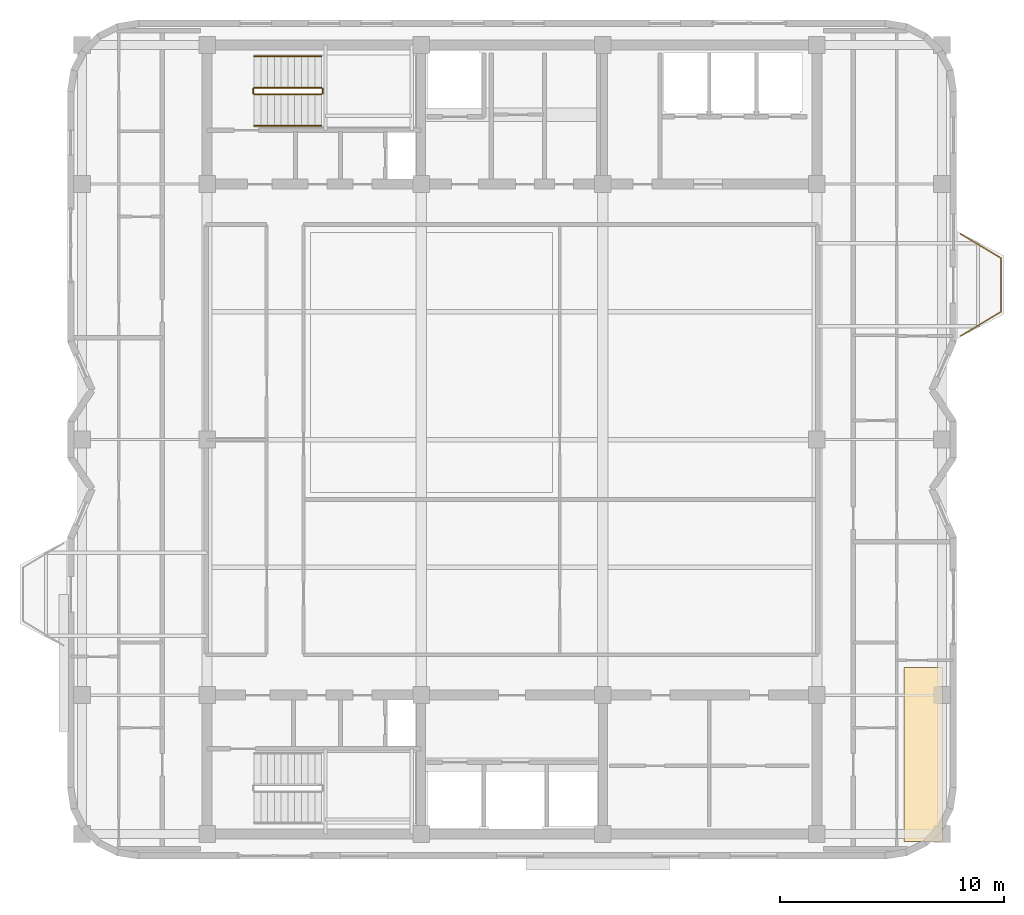
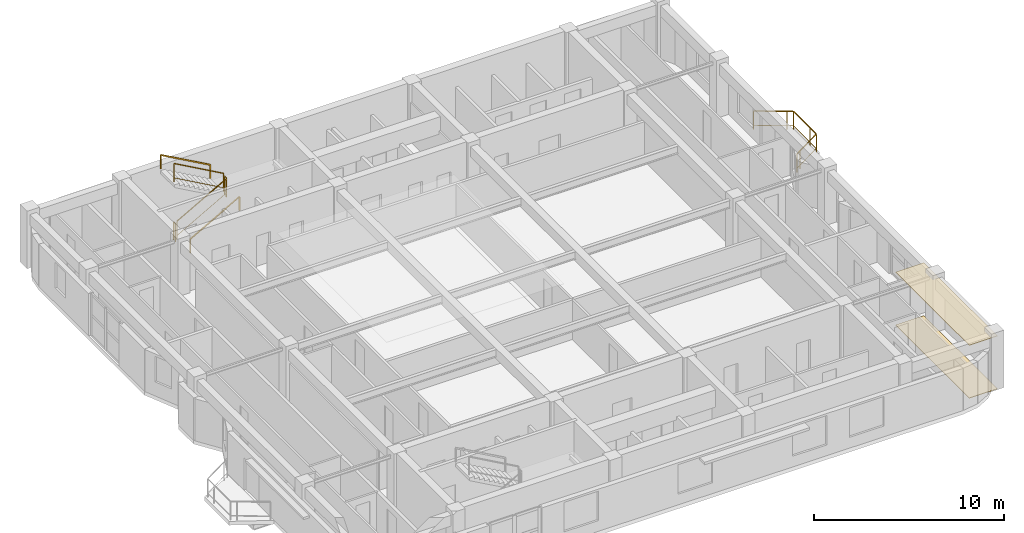
# One storey, part 11 of 11: 7 railings, 2 coverings.
"""IFC4 building model written with IfcOpenShell, lengths in metres."""

import ifcopenshell
import ifcopenshell.guid

model = None  # the IFC model being written
_history = None  # IfcOwnerHistory: only IFC2X3 demands one
_inside = {}  # id of a spatial element -> (the spatial element, [elements in it])
_under = {}  # id of a project, library or spatial element -> (it, [spatial elements below it])
_declared = {}  # id of a project -> (the project, [libraries it declares])
_typed = {}  # id of a type object -> (the type object, [elements of that type])
_made_of = {}  # id of a material, layer set ... -> (it, [elements and type objects made of it])


def new_model(schema):
    """Start an empty IFC model of exactly this schema.

    Asked for "IFC4X3", IfcOpenShell would pick the latest addendum, in which some entities
    have other attributes; the version numbers below select the first issue.
    IFC2X3 requires an IfcOwnerHistory on every rooted entity: one is made here for all.
    """
    global model, _history
    if schema == "IFC4X3":
        model = ifcopenshell.file(schema_version=(4, 3, 0, 0))
    else:
        model = ifcopenshell.file(schema=schema)
    _inside.clear()
    _under.clear()
    _declared.clear()
    _typed.clear()
    _made_of.clear()
    _history = None
    if model.schema == "IFC2X3":
        org = make("IfcOrganization", Name="unknown")
        user = make(
            "IfcPersonAndOrganization",
            ThePerson=make("IfcPerson", FamilyName="unknown"),
            TheOrganization=org,
        )
        app = make(
            "IfcApplication",
            ApplicationDeveloper=org,
            Version="unknown",
            ApplicationFullName="unknown",
            ApplicationIdentifier="unknown",
        )
        _history = make(
            "IfcOwnerHistory",
            OwningUser=user,
            OwningApplication=app,
            ChangeAction="ADDED",
            CreationDate=0,
        )
    return model


def make(cls, **values):
    """One entity of the class cls with the attributes given. An attribute that is None is left unset."""
    return model.create_entity(
        cls, **{name: value for name, value in values.items() if value is not None}
    )


def rooted(cls, **values):
    """An entity with a GlobalId (a new one), such as an element, a storey or a relation."""
    return make(cls, GlobalId=ifcopenshell.guid.new(), OwnerHistory=_history, **values)


def si_unit(unit_type, name, prefix=None):
    """IfcSIUnit, for example si_unit("LENGTHUNIT", "METRE", prefix="MILLI")."""
    return make("IfcSIUnit", UnitType=unit_type, Prefix=prefix, Name=name)


def assignment(units):
    """IfcUnitAssignment: the units of a project."""
    return None if units is None else make("IfcUnitAssignment", Units=units)


def point(xyz):
    """IfcCartesianPoint."""
    return None if xyz is None else make("IfcCartesianPoint", Coordinates=xyz)


def direction(xyz):
    """IfcDirection."""
    return None if xyz is None else make("IfcDirection", DirectionRatios=xyz)


def frame(location, z_axis=None, x_axis=None):
    """IfcAxis2Placement3D, a coordinate frame: its origin and axes. An axis left out is left unset."""
    return make(
        "IfcAxis2Placement3D",
        Location=point(location),
        Axis=direction(z_axis),
        RefDirection=direction(x_axis),
    )


def frame_2d(location, x_axis=None):
    """IfcAxis2Placement2D, a coordinate frame in the plane: its origin and x axis."""
    return make(
        "IfcAxis2Placement2D", Location=point(location), RefDirection=direction(x_axis)
    )


def origin():
    """The frame at (0, 0, 0) with its axes left unset."""
    return frame((0.0, 0.0, 0.0))


def origin_2d():
    """The frame at (0, 0) in the plane with its x axis left unset."""
    return frame_2d((0.0, 0.0))


def place(relative_to, where):
    """IfcLocalPlacement: puts the frame where relative to a parent placement (None: the world)."""
    return make(
        "IfcLocalPlacement", PlacementRelTo=relative_to, RelativePlacement=where
    )


def context(
    kind, dimensions, precision=None, world=None, true_north=None, identifier=None
):
    """IfcGeometricRepresentationContext, for example the 3D "Model" context."""
    return make(
        "IfcGeometricRepresentationContext",
        ContextIdentifier=identifier,
        ContextType=kind,
        CoordinateSpaceDimension=dimensions,
        Precision=precision,
        WorldCoordinateSystem=world,
        TrueNorth=true_north,
    )


def subcontext(parent, identifier, kind, view, scale=None):
    """IfcGeometricRepresentationSubContext, for example "Body" below "Model"."""
    return make(
        "IfcGeometricRepresentationSubContext",
        ContextIdentifier=identifier,
        ContextType=kind,
        ParentContext=parent,
        TargetScale=scale,
        TargetView=view,
    )


def project(units=None, contexts=None):
    """IfcProject with its units and contexts."""
    return rooted(
        "IfcProject",
        Name="project",
        RepresentationContexts=contexts,
        UnitsInContext=assignment(units),
    )


def spatial(cls, under=None, at=None, **own):
    """A site, building, storey or space (cls), placed at a placement, below another one or the project."""
    s = rooted(cls, ObjectPlacement=at, **own)
    if under is not None:
        _under.setdefault(under.id(), (under, []))[1].append(s)
    return s


def polyline(points):
    """IfcPolyline through the points."""
    return make("IfcPolyline", Points=[point(p) for p in points])


def profile(cls, at=None, kind="AREA", **sizes):
    """A parametric profile (cls). Its sizes go by their IFC names, for example OverallWidth=200.0."""
    return make(cls, ProfileType=kind, Position=at, **sizes)


def rectangle(**sizes):
    """IfcRectangleProfileDef."""
    return profile("IfcRectangleProfileDef", **sizes)


def outline(outer, holes=None, kind="AREA"):
    """IfcArbitraryClosedProfileDef: a profile drawn as a closed curve; with holes, ...WithVoids."""
    if holes is None:
        return make("IfcArbitraryClosedProfileDef", ProfileType=kind, OuterCurve=outer)
    return make(
        "IfcArbitraryProfileDefWithVoids",
        ProfileType=kind,
        OuterCurve=outer,
        InnerCurves=holes,
    )


def extrude(swept, where, along, depth):
    """IfcExtrudedAreaSolid: the profile swept, set in the frame where, extruded along a direction by depth."""
    return make(
        "IfcExtrudedAreaSolid",
        SweptArea=swept,
        Position=where,
        ExtrudedDirection=direction(along),
        Depth=depth,
    )


def shape(context_of_items, identifier, shape_type, items):
    """IfcShapeRepresentation: the items that make up one representation, for example the "Body"."""
    return make(
        "IfcShapeRepresentation",
        ContextOfItems=context_of_items,
        RepresentationIdentifier=identifier,
        RepresentationType=shape_type,
        Items=items,
    )


def material(Name=None, Category=None):
    """IfcMaterial."""
    return make("IfcMaterial", Name=Name, Category=Category)


def layer(
    of_material, thickness, ventilated=None, Name=None, Category=None, Priority=None
):
    """IfcMaterialLayer: one layer of a wall or slab, of a material (None: an air gap)."""
    return make(
        "IfcMaterialLayer",
        Material=of_material,
        LayerThickness=thickness,
        IsVentilated=ventilated,
        Name=Name,
        Category=Category,
        Priority=Priority,
    )


def layer_set(layers, Name=None):
    """IfcMaterialLayerSet."""
    return make("IfcMaterialLayerSet", MaterialLayers=layers, LayerSetName=Name)


def made_of(thing, what):
    """Note that an element or type object is made of a material, layer set ...; save() writes the relation."""
    if what is not None:
        _made_of.setdefault(what.id(), (what, []))[1].append(thing)
    return thing


def type_object(cls, material=None, **own):
    """A type object (cls), such as IfcWallType, which elements share."""
    return made_of(rooted(cls, **own), material)


def element(
    cls,
    number,
    at=None,
    inside=None,
    cuts=None,
    type_object=None,
    material=None,
    context=None,
    identifier="Body",
    shape_type=None,
    held_by="IfcProductDefinitionShape",
    body=None,
    shapes=None,
    **own,
):
    """One element of the class cls, such as IfcWall. Its Tag is "e" and its number.

    at: its placement. inside: the storey or other place that contains it. cuts: it is an
    opening in that element (IfcRelVoidsElement). A single representation is given by context,
    identifier, shape_type and body (its items); several are given by shapes. held_by: the class
    of the entity that holds the representations. save() writes the other relations.
    """
    e = rooted(cls, Tag="e%d" % number, ObjectPlacement=at, **own)
    if body is not None:
        shapes = [shape(context, identifier, shape_type, body)]
    if shapes is not None:
        e.Representation = make(held_by, Representations=shapes)
    if inside is not None:
        _inside.setdefault(inside.id(), (inside, []))[1].append(e)
    if cuts is not None:
        rooted(
            "IfcRelVoidsElement", RelatingBuildingElement=cuts, RelatedOpeningElement=e
        )
    if type_object is not None:
        _typed.setdefault(type_object.id(), (type_object, []))[1].append(e)
    return made_of(e, material)


def aggregate(whole, parts):
    """IfcRelAggregates: a whole, such as a stair, and the parts it consists of."""
    return rooted("IfcRelAggregates", RelatingObject=whole, RelatedObjects=parts)


def save(model, path):
    """Write the relations noted so far, then the file.

    IfcRelAggregates (storeys below a building ...), IfcRelContainedInSpatialStructure (elements
    in a storey), IfcRelDefinesByType, IfcRelAssociatesMaterial and IfcRelDeclares: one each for
    every whole, place, type object, material and project.
    """
    for whole, parts in _under.values():
        aggregate(whole, parts)
    for where, things in _inside.values():
        rooted(
            "IfcRelContainedInSpatialStructure",
            RelatedElements=things,
            RelatingStructure=where,
        )
    for kind, things in _typed.values():
        rooted("IfcRelDefinesByType", RelatedObjects=things, RelatingType=kind)
    for what, things in _made_of.values():
        rooted("IfcRelAssociatesMaterial", RelatedObjects=things, RelatingMaterial=what)
    for by, libraries in _declared.values():
        rooted("IfcRelDeclares", RelatingContext=by, RelatedDefinitions=libraries)
    model.write(path)


model = new_model("IFC4")

# Units and contexts
model_context = context("Model", 3, precision=1e-05, world=origin(), true_north=direction((0.0, 1.0)))
body_context = subcontext(model_context, "Body", "Model", "MODEL_VIEW")
ifc_project = project(units=[si_unit("LENGTHUNIT", "METRE"), si_unit("AREAUNIT", "SQUARE_METRE"), si_unit("VOLUMEUNIT", "CUBIC_METRE"), si_unit("PLANEANGLEUNIT", "RADIAN"), si_unit("MASSUNIT", "GRAM", prefix="KILO")], contexts=[model_context])

# Site, building, storey
site_placement = place(None, origin())
site = spatial("IfcSite", under=ifc_project, at=site_placement, CompositionType="ELEMENT")
building_placement = place(site_placement, origin())
building = spatial("IfcBuilding", under=site, at=building_placement, Name="Svetorya Sky Lyceum", CompositionType="ELEMENT")
storey_placement = place(building_placement, frame((0.0, 0.0, 293.5)))
storey = spatial("IfcBuildingStorey", under=building, at=storey_placement, Name="L74", CompositionType="ELEMENT", Elevation=293.5)

# Coverings
ifc_material_1 = material(Name="Fire-retardant birch acoustic slat ceiling")
ifc_layer_1 = layer(ifc_material_1, 0.031982421875)
ifc_layer_set_1 = layer_set([ifc_layer_1], Name="Fire-retardant birch acoustic slat ceiling")
covering_type_1 = type_object("IfcCoveringType", Name="COV-CLG-WD32", PredefinedType="CEILING", material=ifc_layer_set_1)
covering_1_placement = place(storey_placement, frame((0.0, 0.0, 3.39794921875)))
element("IfcCovering", 1, at=covering_1_placement, inside=storey, type_object=covering_type_1, Name="Apartment E1 Living Room Acoustic Ceiling", PredefinedType="CEILING", context=body_context, shape_type="SweptSolid", body=[
    extrude(outline(polyline([(56.679931640625, 10.280029296875), (58.398681640625, 10.280029296875), (58.398681640625, 18.0400390625), (56.679931640625, 18.0400390625), (56.679931640625, 10.280029296875)])), origin(), (0.0, 0.0, 1.0), 0.031982421875),
])
ifc_material_2 = material(Name="Vitrified porcelain slip-resistant tile flooring")
ifc_layer_2 = layer(ifc_material_2, 0.02587890625)
ifc_layer_set_2 = layer_set([ifc_layer_2], Name="Vitrified porcelain slip-resistant tile flooring")
covering_type_2 = type_object("IfcCoveringType", Name="COV-FLR-POR26", PredefinedType="FLOORING", material=ifc_layer_set_2)
covering_2_placement = place(storey_placement, origin())
element("IfcCovering", 2, at=covering_2_placement, inside=storey, type_object=covering_type_2, Name="Apartment E1 Living Room Architectural Flooring", PredefinedType="FLOORING", context=body_context, shape_type="SweptSolid", body=[
    extrude(outline(polyline([(56.679931640625, 10.280029296875), (58.398681640625, 10.280029296875), (58.398681640625, 18.0400390625), (56.679931640625, 18.0400390625), (56.679931640625, 10.280029296875)])), origin(), (0.0, 0.0, 1.0), 0.02587890625),
])

# Railings
ifc_material_3 = material(Name="Laminated safety glass and stainless AISI 316", Category="glass")
railing_type_1 = type_object("IfcRailingType", Name="RL-BAL-1200", PredefinedType="BALUSTRADE", material=ifc_material_3)
railing_1_placement = place(storey_placement, frame((59.2099609375, 37.3798828125, 0.0)))
element("IfcRailing", 3, at=railing_1_placement, inside=storey, type_object=railing_type_1, Name="L74 Balcony Balustrade BAL-E1", PredefinedType="BALUSTRADE", context=body_context, shape_type="SweptSolid", body=[
    extrude(rectangle(XDim=0.048095703125, YDim=0.048095703125, at=origin_2d()), frame((0.0, 0.0, 1.17578125), z_axis=(0.85753397263, -0.514427337711, 0.0), x_axis=(0.514427337711, 0.85753397263, 0.0)), (0.0, 0.0, 1.0), 2.09912109375),
    extrude(rectangle(XDim=0.02392578125, YDim=0.02392578125, at=origin_2d()), frame((0.0, 0.0, 0.25), z_axis=(0.85753397263, -0.514427337711, 0.0), x_axis=(0.514427337711, 0.85753397263, 0.0)), (0.0, 0.0, 1.0), 2.09912109375),
    extrude(rectangle(XDim=0.048095703125, YDim=0.048095703125, at=origin_2d()), frame((1.800048828125, -1.079833984375, 1.17578125), z_axis=(0.0, -1.0, 0.0), x_axis=(1.0, 0.0, 0.0)), (0.0, 0.0, 1.0), 2.400146484375),
    extrude(rectangle(XDim=0.02392578125, YDim=0.02392578125, at=origin_2d()), frame((1.800048828125, -1.079833984375, 0.25), z_axis=(0.0, -1.0, 0.0), x_axis=(1.0, 0.0, 0.0)), (0.0, 0.0, 1.0), 2.400146484375),
    extrude(rectangle(XDim=0.048095703125, YDim=0.048095703125, at=origin_2d()), frame((1.800048828125, -3.47998046875, 1.17578125), z_axis=(-0.85753397263, -0.514427337711, 0.0), x_axis=(0.514427337711, -0.85753397263, 0.0)), (0.0, 0.0, 1.0), 2.09912109375),
    extrude(rectangle(XDim=0.02392578125, YDim=0.02392578125, at=origin_2d()), frame((1.800048828125, -3.47998046875, 0.25), z_axis=(-0.85753397263, -0.514427337711, 0.0), x_axis=(0.514427337711, -0.85753397263, 0.0)), (0.0, 0.0, 1.0), 2.09912109375),
    extrude(rectangle(XDim=0.0419921875, YDim=0.0419921875, at=origin_2d()), origin(), (0.0, 0.0, 1.0), 1.15185546875),
    extrude(rectangle(XDim=0.0419921875, YDim=0.0419921875, at=origin_2d()), frame((1.500732421875, -0.900146484375, 0.0)), (0.0, 0.0, 1.0), 1.15185546875),
    extrude(rectangle(XDim=0.0419921875, YDim=0.0419921875, at=origin_2d()), frame((1.800048828125, -1.079833984375, 0.0)), (0.0, 0.0, 1.0), 1.15185546875),
    extrude(rectangle(XDim=0.0419921875, YDim=0.0419921875, at=origin_2d()), frame((1.800048828125, -2.829833984375, 0.0)), (0.0, 0.0, 1.0), 1.15185546875),
    extrude(rectangle(XDim=0.0419921875, YDim=0.0419921875, at=origin_2d()), frame((1.800048828125, -3.47998046875, 0.0)), (0.0, 0.0, 1.0), 1.15185546875),
    extrude(rectangle(XDim=0.0419921875, YDim=0.0419921875, at=origin_2d()), frame((0.29931640625, -4.380126953125, 0.0)), (0.0, 0.0, 1.0), 1.15185546875),
    extrude(rectangle(XDim=0.0419921875, YDim=0.0419921875, at=origin_2d()), frame((0.0, -4.559814453125, 0.0)), (0.0, 0.0, 1.0), 1.15185546875),
])
ifc_material_4 = material(Name="Painted galvanized stair well guard")
railing_type_2 = type_object("IfcRailingType", Name="RL-STR-GUARD-1200", PredefinedType="GUARDRAIL", material=ifc_material_4)
railing_2_placement = place(storey_placement, frame((27.699951171875, 43.60009765625, 0.168212890625)))
element("IfcRailing", 4, at=railing_2_placement, inside=storey, type_object=railing_type_2, Name="L74 ST-N stair guard 1", PredefinedType="GUARDRAIL", context=body_context, shape_type="SweptSolid", body=[
    extrude(rectangle(XDim=0.048095703125, YDim=0.048095703125, at=origin_2d()), frame((0.0, 0.0, 1.17578125), z_axis=(0.872272294576, 0.0, 0.489020494575), x_axis=(0.0, 1.0, 0.0)), (0.0, 0.0, 1.0), 3.439208984375),
    extrude(rectangle(XDim=0.02392578125, YDim=0.02392578125, at=origin_2d()), frame((0.0, 0.0, 0.25), z_axis=(0.872272294576, 0.0, 0.489020494575), x_axis=(0.0, 1.0, 0.0)), (0.0, 0.0, 1.0), 3.439208984375),
    extrude(rectangle(XDim=0.0419921875, YDim=0.0419921875, at=origin_2d()), origin(), (0.0, 0.0, 1.0), 1.15185546875),
    extrude(rectangle(XDim=0.0419921875, YDim=0.0419921875, at=origin_2d()), frame((3.0, 0.0, 1.681884765625)), (0.0, 0.0, 1.0), 1.15185546875),
])
railing_3_placement = place(storey_placement, frame((30.75, 43.64990234375, 1.85009765625)))
element("IfcRailing", 5, at=railing_3_placement, inside=storey, type_object=railing_type_2, Name="L74 ST-N stair guard 2", PredefinedType="GUARDRAIL", context=body_context, shape_type="SweptSolid", body=[
    extrude(rectangle(XDim=0.048095703125, YDim=0.048095703125, at=origin_2d()), frame((0.0, 0.0, 1.17578125), z_axis=(0.0, 1.0, 0.0), x_axis=(-1.0, 0.0, 0.0)), (0.0, 0.0, 1.0), 0.2001953125),
    extrude(rectangle(XDim=0.02392578125, YDim=0.02392578125, at=origin_2d()), frame((0.0, 0.0, 0.25), z_axis=(0.0, 1.0, 0.0), x_axis=(-1.0, 0.0, 0.0)), (0.0, 0.0, 1.0), 0.2001953125),
    extrude(rectangle(XDim=0.0419921875, YDim=0.0419921875, at=origin_2d()), origin(), (0.0, 0.0, 1.0), 1.15185546875),
    extrude(rectangle(XDim=0.0419921875, YDim=0.0419921875, at=origin_2d()), frame((0.0, 0.2001953125, 0.0)), (0.0, 0.0, 1.0), 1.15185546875),
])
railing_4_placement = place(storey_placement, frame((30.699951171875, 43.89990234375, 2.01806640625)))
element("IfcRailing", 6, at=railing_4_placement, inside=storey, type_object=railing_type_2, Name="L74 ST-N stair guard 3", PredefinedType="GUARDRAIL", context=body_context, shape_type="SweptSolid", body=[
    extrude(rectangle(XDim=0.048095703125, YDim=0.048095703125, at=origin_2d()), frame((0.0, 0.0, 1.17578125), z_axis=(-0.872272294576, 0.0, 0.489020494575), x_axis=(0.0, -1.0, 0.0)), (0.0, 0.0, 1.0), 3.439208984375),
    extrude(rectangle(XDim=0.02392578125, YDim=0.02392578125, at=origin_2d()), frame((0.0, 0.0, 0.25), z_axis=(-0.872272294576, 0.0, 0.489020494575), x_axis=(0.0, -1.0, 0.0)), (0.0, 0.0, 1.0), 3.439208984375),
    extrude(rectangle(XDim=0.0419921875, YDim=0.0419921875, at=origin_2d()), origin(), (0.0, 0.0, 1.0), 1.15185546875),
    extrude(rectangle(XDim=0.0419921875, YDim=0.0419921875, at=origin_2d()), frame((-3.0, 0.0, 1.681884765625)), (0.0, 0.0, 1.0), 1.15185546875),
])
railing_5_placement = place(storey_placement, frame((27.64990234375, 43.64990234375, 0.0)))
element("IfcRailing", 7, at=railing_5_placement, inside=storey, type_object=railing_type_2, Name="L74 ST-N stair guard 4", PredefinedType="GUARDRAIL", context=body_context, shape_type="SweptSolid", body=[
    extrude(rectangle(XDim=0.048095703125, YDim=0.048095703125, at=origin_2d()), frame((0.0, 0.0, 1.17578125), z_axis=(0.0, 1.0, 0.0), x_axis=(-1.0, 0.0, 0.0)), (0.0, 0.0, 1.0), 0.2001953125),
    extrude(rectangle(XDim=0.02392578125, YDim=0.02392578125, at=origin_2d()), frame((0.0, 0.0, 0.25), z_axis=(0.0, 1.0, 0.0), x_axis=(-1.0, 0.0, 0.0)), (0.0, 0.0, 1.0), 0.2001953125),
    extrude(rectangle(XDim=0.0419921875, YDim=0.0419921875, at=origin_2d()), origin(), (0.0, 0.0, 1.0), 1.15185546875),
    extrude(rectangle(XDim=0.0419921875, YDim=0.0419921875, at=origin_2d()), frame((0.0, 0.2001953125, 0.0)), (0.0, 0.0, 1.0), 1.15185546875),
])
ifc_material_5 = material(Name="Brushed stainless AISI 304 stair handrail")
railing_type_3 = type_object("IfcRailingType", Name="RL-STR-HAND-920", PredefinedType="HANDRAIL", material=ifc_material_5)
railing_6_placement = place(storey_placement, frame((27.699951171875, 42.199951171875, 0.168212890625)))
element("IfcRailing", 8, at=railing_6_placement, inside=storey, type_object=railing_type_3, Name="L74 ST-N stair handrail 1", PredefinedType="HANDRAIL", context=body_context, shape_type="SweptSolid", body=[
    extrude(rectangle(XDim=0.048095703125, YDim=0.048095703125, at=origin_2d()), frame((0.0, 0.0, 0.8759765625), z_axis=(0.872272294576, 0.0, 0.489020494575), x_axis=(0.0, 1.0, 0.0)), (0.0, 0.0, 1.0), 3.439208984375),
    extrude(rectangle(XDim=0.0419921875, YDim=0.0419921875, at=origin_2d()), origin(), (0.0, 0.0, 1.0), 0.851806640625),
    extrude(rectangle(XDim=0.0419921875, YDim=0.0419921875, at=origin_2d()), frame((3.0, 0.0, 1.681884765625)), (0.0, 0.0, 1.0), 0.851806640625),
])
railing_7_placement = place(storey_placement, frame((30.699951171875, 45.300048828125, 2.01806640625)))
element("IfcRailing", 9, at=railing_7_placement, inside=storey, type_object=railing_type_3, Name="L74 ST-N stair handrail 2", PredefinedType="HANDRAIL", context=body_context, shape_type="SweptSolid", body=[
    extrude(rectangle(XDim=0.048095703125, YDim=0.048095703125, at=origin_2d()), frame((0.0, 0.0, 0.8759765625), z_axis=(-0.872272294576, 0.0, 0.489020494575), x_axis=(0.0, -1.0, 0.0)), (0.0, 0.0, 1.0), 3.439208984375),
    extrude(rectangle(XDim=0.0419921875, YDim=0.0419921875, at=origin_2d()), origin(), (0.0, 0.0, 1.0), 0.851806640625),
    extrude(rectangle(XDim=0.0419921875, YDim=0.0419921875, at=origin_2d()), frame((-3.0, 0.0, 1.681884765625)), (0.0, 0.0, 1.0), 0.851806640625),
])

save(model, "model.ifc")
